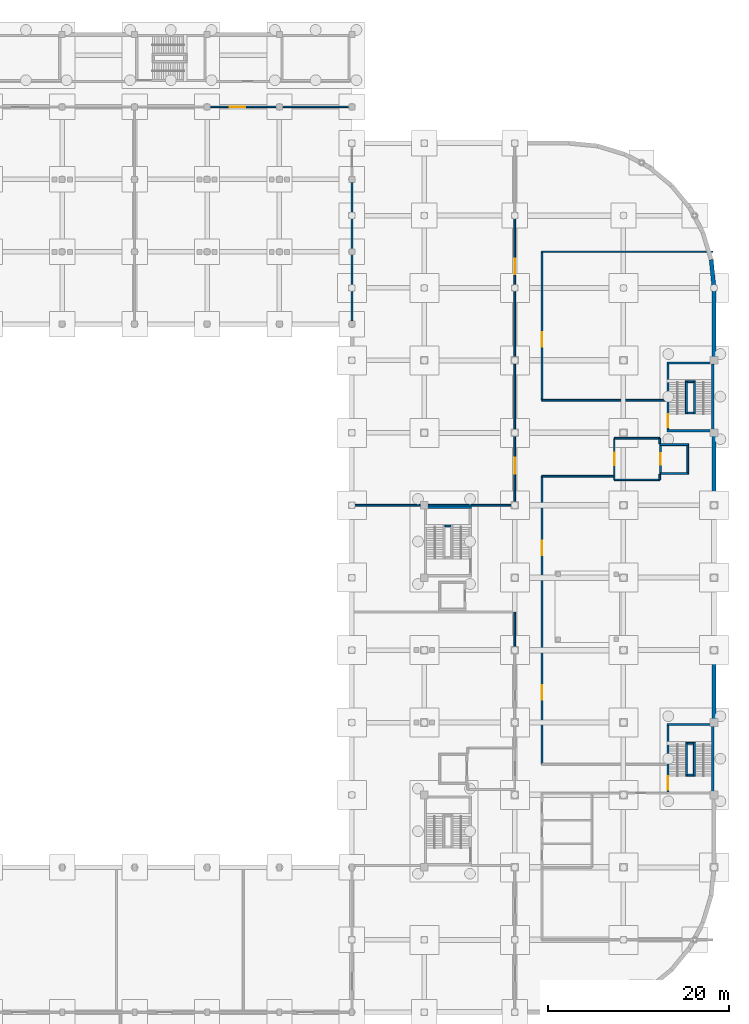
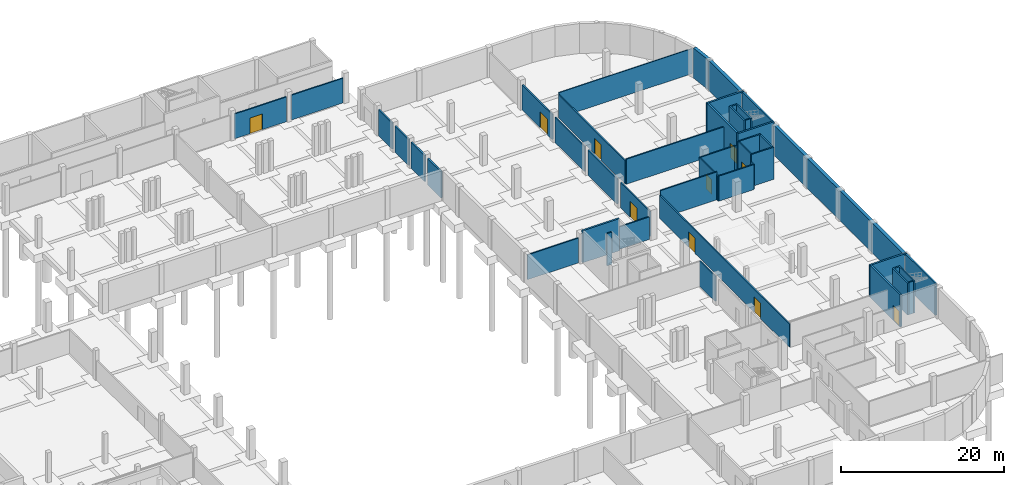
# One storey, part 26 of 29: 47 walls, 10 doors, 10 openings.
"""IFC4 building model written with IfcOpenShell, lengths in metres."""

from ifc_helpers import new_model, si_unit, direction, frame, frame_2d, origin, place, context, subcontext, project, spatial, rectangle, extrude, material, layer, layer_set, type_object, element, fill, save


model = new_model("IFC4")

# Units and contexts
model_context = context("Model", 3, precision=1e-05, world=origin(), true_north=direction((0.0, 1.0)))
body_context = subcontext(model_context, "Body", "Model", "MODEL_VIEW")
ifc_project = project(units=[si_unit("LENGTHUNIT", "METRE"), si_unit("AREAUNIT", "SQUARE_METRE"), si_unit("VOLUMEUNIT", "CUBIC_METRE"), si_unit("PLANEANGLEUNIT", "RADIAN"), si_unit("MASSUNIT", "GRAM", prefix="KILO")], contexts=[model_context])

# Site, building, storey
site_placement = place(None, origin())
site = spatial("IfcSite", under=ifc_project, at=site_placement, CompositionType="ELEMENT")
building_placement = place(site_placement, origin())
building = spatial("IfcBuilding", under=site, at=building_placement, Name="Drelvana Railside Aquatics Centre", CompositionType="ELEMENT")
storey_placement = place(building_placement, frame((0.0, 0.0, -4.800048828125)))
storey = spatial("IfcBuildingStorey", under=building, at=storey_placement, Name="B1", CompositionType="ELEMENT", Elevation=-4.800048828125)

# Walls
ifc_material_1 = material(Name="Concrete blockwork compartment wall", Category="masonry")
ifc_layer_1 = layer(ifc_material_1, 0.18505859375, Name="Concrete blockwork compartment wall")
ifc_layer_set_1 = layer_set([ifc_layer_1], Name="Concrete blockwork compartment wall")
wall_type_1 = type_object("IfcWallType", Name="WL-COMP-185", PredefinedType="STANDARD", material=ifc_layer_set_1)
for number, where, z_axis, x_axis, name in (
    (1, (178.0, 66.800048828125, 0.0), (0.0, 0.0, 1.0), (-1.0, 0.0, 0.0), "Firefighting lobby FL-02 S wall (B1)"),
    (2, (173.0, 71.39990234375, 0.0), (0.0, 0.0, 1.0), (1.0, 0.0, 0.0), "Firefighting lobby FL-02 N wall (B1)"),
):
    element("IfcWall", number, at=place(storey_placement, frame(where, z_axis=z_axis, x_axis=x_axis)), inside=storey, type_object=wall_type_1, Name=name, PredefinedType="STANDARD", context=body_context, shape_type="SweptSolid", body=[
        extrude(rectangle(XDim=5.0, YDim=0.18505859375, at=frame_2d((2.5, 0.0))), origin(), (0.0, 0.0, 1.0), 3.75),
    ])

# Wall, opening, door
wall_1_placement = place(storey_placement, frame((173.0, 66.800048828125, 0.0), z_axis=(0.0, 0.0, 1.0), x_axis=(0.0, 1.0, 0.0)))
wall_1 = element("IfcWall", 3, at=wall_1_placement, inside=storey, type_object=wall_type_1, Name="Firefighting lobby FL-02 COR wall (B1)", PredefinedType="STANDARD", context=body_context, shape_type="SweptSolid", body=[
    extrude(rectangle(XDim=4.599853515625, YDim=0.18505859375, at=frame_2d((2.2998046875, 0.0))), origin(), (0.0, 0.0, 1.0), 3.75),
])
opening_1_placement = place(wall_1_placement, frame((1.60009765625, 0.0, 0.0)))
opening_1 = element("IfcOpeningElement", 4, at=opening_1_placement, cuts=wall_1, Name="Opening D-03-060", PredefinedType="OPENING", context=body_context, shape_type="SweptSolid", body=[
    extrude(rectangle(XDim=1.39990234375, YDim=2.199951171875, at=frame_2d((0.699951171875, 1.10009765625))), frame((0.0, 0.1025390625, 0.0), z_axis=(0.0, -1.0, 0.0), x_axis=(1.0, 0.0, 0.0)), (0.0, 0.0, 1.0), 0.205078125),
])
ifc_material_2 = material(Name="Firefighting lobby door", Category="wood")
door_type_1 = type_object("IfcDoorType", Name="DR-INT-FFLOB-1400x2200", OperationType="DOUBLE_DOOR_SINGLE_SWING", PredefinedType="DOOR", material=ifc_material_2)
door_1_placement = place(opening_1_placement, origin())
door_1 = element("IfcDoor", 5, at=door_1_placement, inside=storey, type_object=door_type_1, Name="Firefighting lobby FL-02 door D-03-060", OperationType="DOUBLE_DOOR_SINGLE_SWING", OverallHeight=2.199951171875, OverallWidth=1.39990234375, PredefinedType="DOOR", context=body_context, shape_type="SweptSolid", body=[
    extrude(rectangle(XDim=1.39990234375, YDim=2.199951171875, at=frame_2d((0.699951171875, 1.10009765625))), frame((0.0, 0.02490234375, 0.0), z_axis=(0.0, -1.0, 0.0), x_axis=(1.0, 0.0, 0.0)), (0.0, 0.0, 1.0), 0.050048828125),
])
fill(opening_1, door_1)

# Walls
for number, where, z_axis, x_axis, name in (
    (6, (178.0, 66.800048828125, 0.0), (0.0, 0.0, 1.0), (0.0, 1.0, 0.0), "Firefighting lobby FL-02 SHS wall (B1)"),
    (7, (178.0, 70.800048828125, 0.0), (0.0, 0.0, 1.0), (0.0, 1.0, 0.0), "Firefighting lobby FL-02 SHN wall (B1)"),
):
    element("IfcWall", number, at=place(storey_placement, frame(where, z_axis=z_axis, x_axis=x_axis)), inside=storey, type_object=wall_type_1, Name=name, PredefinedType="STANDARD", context=body_context, shape_type="SweptSolid", body=[
        extrude(rectangle(XDim=0.599853515625, YDim=0.18505859375, at=frame_2d((0.2998046875, 0.0))), origin(), (0.0, 0.0, 1.0), 3.75),
    ])

# Wall, opening, door
wall_2_placement = place(storey_placement, frame((128.326904296875, 108.0, 0.0), z_axis=(0.0, 0.0, 1.0), x_axis=(1.0, 0.0, 0.0)))
wall_2 = element("IfcWall", 8, at=wall_2_placement, inside=storey, type_object=wall_type_1, Name="B1 North plant corridor S wall", PredefinedType="STANDARD", context=body_context, shape_type="SweptSolid", body=[
    extrude(rectangle(XDim=7.34619140625, YDim=0.18505859375, at=frame_2d((3.673095703125, 0.0))), origin(), (0.0, 0.0, 1.0), 3.699951171875),
])
opening_2_placement = place(wall_2_placement, frame((2.173095703125, 0.0, 0.0)))
opening_2 = element("IfcOpeningElement", 9, at=opening_2_placement, cuts=wall_2, Name="Opening D-15-119", PredefinedType="OPENING", context=body_context, shape_type="SweptSolid", body=[
    extrude(rectangle(XDim=1.75, YDim=2.35009765625, at=frame_2d((0.875, 1.175048828125))), frame((0.0, 0.1025390625, 0.0), z_axis=(0.0, -1.0, 0.0), x_axis=(1.0, 0.0, 0.0)), (0.0, 0.0, 1.0), 0.205078125),
])
ifc_material_3 = material(Name="Heavy plant hall double door", Category="wood")
door_type_2 = type_object("IfcDoorType", Name="DR-INT-PLANT-1750x2350", OperationType="DOUBLE_DOOR_SINGLE_SWING", PredefinedType="DOOR", material=ifc_material_3)
door_2_placement = place(opening_2_placement, origin())
door_2 = element("IfcDoor", 10, at=door_2_placement, inside=storey, type_object=door_type_2, Name="Greywater harvesting plant door D-15-119", OperationType="DOUBLE_DOOR_SINGLE_SWING", OverallHeight=2.35009765625, OverallWidth=1.75, PredefinedType="DOOR", context=body_context, shape_type="SweptSolid", body=[
    extrude(rectangle(XDim=1.75, YDim=2.35009765625, at=frame_2d((0.875, 1.175048828125))), frame((0.0, 0.02490234375, 0.0), z_axis=(0.0, -1.0, 0.0), x_axis=(1.0, 0.0, 0.0)), (0.0, 0.0, 1.0), 0.050048828125),
])
fill(opening_2, door_2)

# Walls
wall_3_placement = place(storey_placement, frame((136.326904296875, 108.0, 0.0), z_axis=(0.0, 0.0, 1.0), x_axis=(1.0, 0.0, 0.0)))
element("IfcWall", 11, at=wall_3_placement, inside=storey, type_object=wall_type_1, Name="B1 North plant corridor S wall", PredefinedType="STANDARD", context=body_context, shape_type="SweptSolid", body=[
    extrude(rectangle(XDim=7.34619140625, YDim=0.18505859375, at=frame_2d((3.673095703125, 0.0))), origin(), (0.0, 0.0, 1.0), 3.699951171875),
])
wall_4_placement = place(storey_placement, frame((162.0, 48.427001953125, 0.0), z_axis=(0.0, 0.0, 1.0), x_axis=(0.0, 1.0, 0.0)))
element("IfcWall", 12, at=wall_4_placement, inside=storey, type_object=wall_type_1, Name="V5 B1 west corridor wall", PredefinedType="STANDARD", context=body_context, shape_type="SweptSolid", body=[
    extrude(rectangle(XDim=3.77294921875, YDim=0.18505859375, at=frame_2d((1.886474609375, 0.0))), origin(), (0.0, 0.0, 1.0), 3.75),
])

# Wall, opening, door
wall_5_placement = place(storey_placement, frame((162.0, 64.427001953125, 0.0), z_axis=(0.0, 0.0, 1.0), x_axis=(0.0, 1.0, 0.0)))
wall_5 = element("IfcWall", 13, at=wall_5_placement, inside=storey, type_object=wall_type_1, Name="V5 B1 west corridor wall", PredefinedType="STANDARD", context=body_context, shape_type="SweptSolid", body=[
    extrude(rectangle(XDim=7.14599609375, YDim=0.18505859375, at=frame_2d((3.572998046875, 0.0))), origin(), (0.0, 0.0, 1.0), 3.75),
])
opening_3_placement = place(wall_5_placement, frame((3.072998046875, 0.0, 0.0)))
opening_3 = element("IfcOpeningElement", 14, at=opening_3_placement, cuts=wall_5, Name="Opening D-15-183", PredefinedType="OPENING", context=body_context, shape_type="SweptSolid", body=[
    extrude(rectangle(XDim=1.75, YDim=2.35009765625, at=frame_2d((0.875, 1.175048828125))), frame((0.0, 0.1025390625, 0.0), z_axis=(0.0, -1.0, 0.0), x_axis=(1.0, 0.0, 0.0)), (0.0, 0.0, 1.0), 0.205078125),
])
door_3_placement = place(opening_3_placement, origin())
door_3 = element("IfcDoor", 15, at=door_3_placement, inside=storey, type_object=door_type_2, Name="Clean linen laundry south door D-15-183", OperationType="DOUBLE_DOOR_SINGLE_SWING", OverallHeight=2.35009765625, OverallWidth=1.75, PredefinedType="DOOR", context=body_context, shape_type="SweptSolid", body=[
    extrude(rectangle(XDim=1.75, YDim=2.35009765625, at=frame_2d((0.875, 1.175048828125))), frame((0.0, 0.02490234375, 0.0), z_axis=(0.0, -1.0, 0.0), x_axis=(1.0, 0.0, 0.0)), (0.0, 0.0, 1.0), 0.050048828125),
])
fill(opening_3, door_3)

# Walls
wall_6_placement = place(storey_placement, frame((162.0, 72.427001953125, 0.0), z_axis=(0.0, 0.0, 1.0), x_axis=(0.0, 1.0, 0.0)))
element("IfcWall", 16, at=wall_6_placement, inside=storey, type_object=wall_type_1, Name="V5 B1 west corridor wall", PredefinedType="STANDARD", context=body_context, shape_type="SweptSolid", body=[
    extrude(rectangle(XDim=7.14599609375, YDim=0.18505859375, at=frame_2d((3.572998046875, 0.0))), origin(), (0.0, 0.0, 1.0), 3.75),
])
wall_7_placement = place(storey_placement, frame((162.0, 80.427001953125, 0.0), z_axis=(0.0, 0.0, 1.0), x_axis=(0.0, 1.0, 0.0)))
element("IfcWall", 17, at=wall_7_placement, inside=storey, type_object=wall_type_1, Name="V5 B1 west corridor wall", PredefinedType="STANDARD", context=body_context, shape_type="SweptSolid", body=[
    extrude(rectangle(XDim=7.220947265625, YDim=0.18505859375, at=frame_2d((3.6103515625, 0.0))), origin(), (0.0, 0.0, 1.0), 3.75),
])

# Wall, opening, door
wall_8_placement = place(storey_placement, frame((162.0, 88.35205078125, 0.0), z_axis=(0.0, 0.0, 1.0), x_axis=(0.0, 1.0, 0.0)))
wall_8 = element("IfcWall", 18, at=wall_8_placement, inside=storey, type_object=wall_type_1, Name="V5 B1 west corridor wall", PredefinedType="STANDARD", context=body_context, shape_type="SweptSolid", body=[
    extrude(rectangle(XDim=7.2958984375, YDim=0.18505859375, at=frame_2d((3.64794921875, 0.0))), origin(), (0.0, 0.0, 1.0), 3.75),
])
opening_4_placement = place(wall_8_placement, frame((1.14794921875, 0.0, 0.0)))
opening_4 = element("IfcOpeningElement", 19, at=opening_4_placement, cuts=wall_8, Name="Opening D-15-184", PredefinedType="OPENING", context=body_context, shape_type="SweptSolid", body=[
    extrude(rectangle(XDim=1.75, YDim=2.35009765625, at=frame_2d((0.875, 1.175048828125))), frame((0.0, 0.1025390625, 0.0), z_axis=(0.0, -1.0, 0.0), x_axis=(1.0, 0.0, 0.0)), (0.0, 0.0, 1.0), 0.205078125),
])
door_4_placement = place(opening_4_placement, origin())
door_4 = element("IfcDoor", 20, at=door_4_placement, inside=storey, type_object=door_type_2, Name="Clean linen laundry north door D-15-184", OperationType="DOUBLE_DOOR_SINGLE_SWING", OverallHeight=2.35009765625, OverallWidth=1.75, PredefinedType="DOOR", context=body_context, shape_type="SweptSolid", body=[
    extrude(rectangle(XDim=1.75, YDim=2.35009765625, at=frame_2d((0.875, 1.175048828125))), frame((0.0, 0.02490234375, 0.0), z_axis=(0.0, -1.0, 0.0), x_axis=(1.0, 0.0, 0.0)), (0.0, 0.0, 1.0), 0.050048828125),
])
fill(opening_4, door_4)

# Walls
wall_9_placement = place(storey_placement, frame((144.35205078125, 64.0, 0.0), z_axis=(0.0, 0.0, 1.0), x_axis=(1.0, 0.0, 0.0)))
element("IfcWall", 21, at=wall_9_placement, inside=storey, type_object=wall_type_1, Name="V5 B1 C8 alcove N wall", PredefinedType="STANDARD", context=body_context, shape_type="SweptSolid", body=[
    extrude(rectangle(XDim=7.220947265625, YDim=0.18505859375, at=frame_2d((3.6103515625, 0.0))), origin(), (0.0, 0.0, 1.0), 3.699951171875),
])
wall_10_placement = place(storey_placement, frame((152.427001953125, 64.0, 0.0), z_axis=(0.0, 0.0, 1.0), x_axis=(1.0, 0.0, 0.0)))
element("IfcWall", 22, at=wall_10_placement, inside=storey, type_object=wall_type_1, Name="V5 B1 C8 alcove N wall", PredefinedType="STANDARD", context=body_context, shape_type="SweptSolid", body=[
    extrude(rectangle(XDim=9.14599609375, YDim=0.18505859375, at=frame_2d((4.572998046875, 0.0))), origin(), (0.0, 0.0, 1.0), 3.35009765625),
])

# Wall, openings, doors
wall_11_placement = place(storey_placement, frame((165.0, 35.39990234375, 0.0), z_axis=(0.0, 0.0, 1.0), x_axis=(0.0, 1.0, 0.0)))
wall_11 = element("IfcWall", 23, at=wall_11_placement, inside=storey, type_object=wall_type_1, Name="V5 B1 east corridor wall", PredefinedType="STANDARD", context=body_context, shape_type="SweptSolid", body=[
    extrude(rectangle(XDim=31.800048828125, YDim=0.18505859375, at=frame_2d((15.89990234375, 0.0))), origin(), (0.0, 0.0, 1.0), 3.449951171875),
])
opening_5_placement = place(wall_11_placement, frame((7.10009765625, 0.0, 0.0)))
opening_5 = element("IfcOpeningElement", 24, at=opening_5_placement, cuts=wall_11, Name="Opening D-04-188", PredefinedType="OPENING", context=body_context, shape_type="SweptSolid", body=[
    extrude(rectangle(XDim=1.60009765625, YDim=2.300048828125, at=frame_2d((0.800048828125, 1.14990234375))), frame((0.0, 0.1025390625, 0.0), z_axis=(0.0, -1.0, 0.0), x_axis=(1.0, 0.0, 0.0)), (0.0, 0.0, 1.0), 0.205078125),
])
opening_6_placement = place(wall_11_placement, frame((23.10009765625, 0.0, 0.0)))
opening_6 = element("IfcOpeningElement", 25, at=opening_6_placement, cuts=wall_11, Name="Opening D-04-189", PredefinedType="OPENING", context=body_context, shape_type="SweptSolid", body=[
    extrude(rectangle(XDim=1.60009765625, YDim=2.300048828125, at=frame_2d((0.800048828125, 1.14990234375))), frame((0.0, 0.1025390625, 0.0), z_axis=(0.0, -1.0, 0.0), x_axis=(1.0, 0.0, 0.0)), (0.0, 0.0, 1.0), 0.205078125),
])
ifc_material_4 = material(Name="Acoustic fire-rated steel plant door", Category="steel")
door_type_3 = type_object("IfcDoorType", Name="DR-INT-PLANT-1600x2300", OperationType="DOUBLE_DOOR_SINGLE_SWING", PredefinedType="DOOR", material=ifc_material_4)
door_5_placement = place(opening_5_placement, origin())
door_5 = element("IfcDoor", 26, at=door_5_placement, inside=storey, type_object=door_type_3, Name="Bicycle storage south door D-04-188", OperationType="DOUBLE_DOOR_SINGLE_SWING", OverallHeight=2.300048828125, OverallWidth=1.60009765625, PredefinedType="DOOR", context=body_context, shape_type="SweptSolid", body=[
    extrude(rectangle(XDim=1.60009765625, YDim=2.300048828125, at=frame_2d((0.800048828125, 1.14990234375))), frame((0.0, 0.02490234375, 0.0), z_axis=(0.0, -1.0, 0.0), x_axis=(1.0, 0.0, 0.0)), (0.0, 0.0, 1.0), 0.050048828125),
])
fill(opening_5, door_5)
door_6_placement = place(opening_6_placement, origin())
door_6 = element("IfcDoor", 27, at=door_6_placement, inside=storey, type_object=door_type_3, Name="Bicycle storage north door D-04-189", OperationType="DOUBLE_DOOR_SINGLE_SWING", OverallHeight=2.300048828125, OverallWidth=1.60009765625, PredefinedType="DOOR", context=body_context, shape_type="SweptSolid", body=[
    extrude(rectangle(XDim=1.60009765625, YDim=2.300048828125, at=frame_2d((0.800048828125, 1.14990234375))), frame((0.0, 0.02490234375, 0.0), z_axis=(0.0, -1.0, 0.0), x_axis=(1.0, 0.0, 0.0)), (0.0, 0.0, 1.0), 0.050048828125),
])
fill(opening_6, door_6)

# Wall, opening, door
wall_12_placement = place(storey_placement, frame((165.0, 75.60009765625, 0.0), z_axis=(0.0, 0.0, 1.0), x_axis=(0.0, 1.0, 0.0)))
wall_12 = element("IfcWall", 28, at=wall_12_placement, inside=storey, type_object=wall_type_1, Name="V5 B1 east corridor wall", PredefinedType="STANDARD", context=body_context, shape_type="SweptSolid", body=[
    extrude(rectangle(XDim=16.39990234375, YDim=0.18505859375, at=frame_2d((8.199951171875, 0.0))), origin(), (0.0, 0.0, 1.0), 3.449951171875),
])
opening_7_placement = place(wall_12_placement, frame((5.89990234375, 0.0, 0.0)))
opening_7 = element("IfcOpeningElement", 29, at=opening_7_placement, cuts=wall_12, Name="Opening D-04-190", PredefinedType="OPENING", context=body_context, shape_type="SweptSolid", body=[
    extrude(rectangle(XDim=1.60009765625, YDim=2.300048828125, at=frame_2d((0.800048828125, 1.14990234375))), frame((0.0, 0.1025390625, 0.0), z_axis=(0.0, -1.0, 0.0), x_axis=(1.0, 0.0, 0.0)), (0.0, 0.0, 1.0), 0.205078125),
])
door_7_placement = place(opening_7_placement, origin())
door_7 = element("IfcDoor", 30, at=door_7_placement, inside=storey, type_object=door_type_3, Name="Refuse compactor room door D-04-190", OperationType="DOUBLE_DOOR_SINGLE_SWING", OverallHeight=2.300048828125, OverallWidth=1.60009765625, PredefinedType="DOOR", context=body_context, shape_type="SweptSolid", body=[
    extrude(rectangle(XDim=1.60009765625, YDim=2.300048828125, at=frame_2d((0.800048828125, 1.14990234375))), frame((0.0, 0.02490234375, 0.0), z_axis=(0.0, -1.0, 0.0), x_axis=(1.0, 0.0, 0.0)), (0.0, 0.0, 1.0), 0.050048828125),
])
fill(opening_7, door_7)

# Walls
wall_13_placement = place(storey_placement, frame((165.0, 67.199951171875, 0.0), z_axis=(0.0, 0.0, 1.0), x_axis=(1.0, 0.0, 0.0)))
element("IfcWall", 31, at=wall_13_placement, inside=storey, type_object=wall_type_1, Name="B1 C7 branch S wall", PredefinedType="STANDARD", context=body_context, shape_type="SweptSolid", body=[
    extrude(rectangle(XDim=8.0, YDim=0.18505859375, at=frame_2d((4.0, 0.0))), origin(), (0.0, 0.0, 1.0), 4.150146484375),
])
wall_14_placement = place(storey_placement, frame((165.0, 75.60009765625, 0.0), z_axis=(0.0, 0.0, 1.0), x_axis=(1.0, 0.0, 0.0)))
element("IfcWall", 32, at=wall_14_placement, inside=storey, type_object=wall_type_1, Name="B1 C7 branch N wall", PredefinedType="STANDARD", context=body_context, shape_type="SweptSolid", body=[
    extrude(rectangle(XDim=13.800048828125, YDim=0.18505859375, at=frame_2d((6.89990234375, 0.0))), origin(), (0.0, 0.0, 1.0), 3.75),
])
ifc_material_5 = material(Name="Autoclaved aerated concrete masonry", Category="masonry")
ifc_layer_2 = layer(ifc_material_5, 0.22509765625, Name="Autoclaved aerated concrete masonry")
ifc_layer_set_2 = layer_set([ifc_layer_2], Name="Autoclaved aerated concrete masonry")
wall_type_2 = type_object("IfcWallType", Name="WL-COMP-225", PredefinedType="STANDARD", material=ifc_layer_set_2)
for number, where, z_axis, x_axis, name in (
    (33, (144.0, 84.326904296875, 0.0), (0.0, 0.0, 1.0), (0.0, 1.0, 0.0), "B1 Changing-Wing compartment wall"),
    (34, (144.0, 88.35205078125, 0.0), (0.0, 0.0, 1.0), (0.0, 1.0, 0.0), "B1 Changing-Wing compartment wall"),
    (35, (144.0, 92.326904296875, 0.0), (0.0, 0.0, 1.0), (0.0, 1.0, 0.0), "B1 Changing-Wing compartment wall"),
    (36, (144.0, 96.35205078125, 0.0), (0.0, 0.0, 1.0), (0.0, 1.0, 0.0), "B1 Changing-Wing compartment wall"),
):
    element("IfcWall", number, at=place(storey_placement, frame(where, z_axis=z_axis, x_axis=x_axis)), inside=storey, type_object=wall_type_2, Name=name, PredefinedType="STANDARD", context=body_context, shape_type="SweptSolid", body=[
        extrude(rectangle(XDim=3.321044921875, YDim=0.22509765625, at=frame_2d((1.66064453125, 0.0))), origin(), (0.0, 0.0, 1.0), 3.900146484375),
    ])
ifc_material_6 = material(Name="Concrete C40/50", Category="concrete")
ifc_layer_3 = layer(ifc_material_6, 0.25, Name="Concrete C40/50")
ifc_layer_set_3 = layer_set([ifc_layer_3], Name="Concrete C40/50")
wall_type_3 = type_object("IfcWallType", Name="WL-CORE-250", PredefinedType="SHEAR", material=ifc_layer_set_3)
for number, where, z_axis, x_axis, name in (
    (37, (178.800048828125, 72.22509765625, 0.0), (0.0, 0.0, 1.0), (1.0, 0.0, 0.0), "Core 7 Federation Wing Avenue-East S core wall (B1)"),
    (38, (178.800048828125, 79.715087890625, 0.0), (0.0, 0.0, 1.0), (1.0, 0.0, 0.0), "Core 7 Federation Wing Avenue-East N core wall (B1)"),
):
    element("IfcWall", number, at=place(storey_placement, frame(where, z_axis=z_axis, x_axis=x_axis)), inside=storey, type_object=wall_type_3, Name=name, PredefinedType="SHEAR", context=body_context, shape_type="SweptSolid", body=[
        extrude(rectangle(XDim=5.199951171875, YDim=0.25, at=frame_2d((2.60009765625, 0.0))), origin(), (0.0, 0.0, 1.0), 4.800048828125),
    ])

# Wall, opening, door
wall_15_placement = place(storey_placement, frame((178.925048828125, 72.35009765625, 0.0), z_axis=(0.0, 0.0, 1.0), x_axis=(0.0, 1.0, 0.0)))
wall_15 = element("IfcWall", 39, at=wall_15_placement, inside=storey, type_object=wall_type_3, Name="Core 7 Federation Wing Avenue-East W core wall (B1)", PredefinedType="SHEAR", context=body_context, shape_type="SweptSolid", body=[
    extrude(rectangle(XDim=7.239990234375, YDim=0.25, at=frame_2d((3.6201171875, 0.0))), origin(), (0.0, 0.0, 1.0), 4.800048828125),
])
opening_8_placement = place(wall_15_placement, frame((0.25, 0.0, 0.0)))
opening_8 = element("IfcOpeningElement", 40, at=opening_8_placement, cuts=wall_15, Name="Opening D-01-053", PredefinedType="OPENING", context=body_context, shape_type="SweptSolid", body=[
    extrude(rectangle(XDim=1.449951171875, YDim=2.199951171875, at=frame_2d((0.72509765625, 1.10009765625))), frame((0.0, 0.135009765625, 0.0), z_axis=(0.0, -1.0, 0.0), x_axis=(1.0, 0.0, 0.0)), (0.0, 0.0, 1.0), 0.27001953125),
])
ifc_material_7 = material(Name="Fire-rated steel and vision-panel door", Category="steel")
door_type_4 = type_object("IfcDoorType", Name="DR-INT-STAIR-1450x2200", OperationType="DOUBLE_DOOR_SINGLE_SWING", PredefinedType="DOOR", material=ifc_material_7)
door_8_placement = place(opening_8_placement, origin())
door_8 = element("IfcDoor", 41, at=door_8_placement, inside=storey, type_object=door_type_4, Name="Stair ST-07 lobby door D-01-053", OperationType="DOUBLE_DOOR_SINGLE_SWING", OverallHeight=2.199951171875, OverallWidth=1.449951171875, PredefinedType="DOOR", context=body_context, shape_type="SweptSolid", body=[
    extrude(rectangle(XDim=1.449951171875, YDim=2.199951171875, at=frame_2d((0.72509765625, 1.10009765625))), frame((0.0, 0.02490234375, 0.0), z_axis=(0.0, -1.0, 0.0), x_axis=(1.0, 0.0, 0.0)), (0.0, 0.0, 1.0), 0.050048828125),
])
fill(opening_8, door_8)

# Walls
wall_16_placement = place(storey_placement, frame((183.875, 72.35009765625, 0.0), z_axis=(0.0, 0.0, 1.0), x_axis=(0.0, 1.0, 0.0)))
element("IfcWall", 42, at=wall_16_placement, inside=storey, type_object=wall_type_3, Name="Core 7 Federation Wing Avenue-East E core wall (B1)", PredefinedType="SHEAR", context=body_context, shape_type="SweptSolid", body=[
    extrude(rectangle(XDim=7.239990234375, YDim=0.25, at=frame_2d((3.6201171875, 0.0))), origin(), (0.0, 0.0, 1.0), 4.800048828125),
])
for number, where, z_axis, x_axis, name in (
    (43, (152.0, 63.77490234375, 0.0), (0.0, 0.0, 1.0), (1.0, 0.0, 0.0), "Core 8 Federation Wing Central-West N core wall (B1)"),
    (44, (178.800048828125, 39.77490234375, 0.0), (0.0, 0.0, 1.0), (1.0, 0.0, 0.0), "Core 9 Federation Wing Avenue-South N core wall (B1)"),
):
    element("IfcWall", number, at=place(storey_placement, frame(where, z_axis=z_axis, x_axis=x_axis)), inside=storey, type_object=wall_type_3, Name=name, PredefinedType="SHEAR", context=body_context, shape_type="SweptSolid", body=[
        extrude(rectangle(XDim=5.199951171875, YDim=0.25, at=frame_2d((2.60009765625, 0.0))), origin(), (0.0, 0.0, 1.0), 4.800048828125),
    ])

# Wall, opening, door
wall_17_placement = place(storey_placement, frame((178.925048828125, 32.35009765625, 0.0), z_axis=(0.0, 0.0, 1.0), x_axis=(0.0, 1.0, 0.0)))
wall_17 = element("IfcWall", 45, at=wall_17_placement, inside=storey, type_object=wall_type_3, Name="Core 9 Federation Wing Avenue-South W core wall (B1)", PredefinedType="SHEAR", context=body_context, shape_type="SweptSolid", body=[
    extrude(rectangle(XDim=7.2998046875, YDim=0.25, at=frame_2d((3.64990234375, 0.0))), origin(), (0.0, 0.0, 1.0), 4.800048828125),
])
opening_9_placement = place(wall_17_placement, frame((0.25, 0.0, 0.0)))
opening_9 = element("IfcOpeningElement", 46, at=opening_9_placement, cuts=wall_17, Name="Opening D-01-083", PredefinedType="OPENING", context=body_context, shape_type="SweptSolid", body=[
    extrude(rectangle(XDim=1.449951171875, YDim=2.199951171875, at=frame_2d((0.72509765625, 1.10009765625))), frame((0.0, 0.135009765625, 0.0), z_axis=(0.0, -1.0, 0.0), x_axis=(1.0, 0.0, 0.0)), (0.0, 0.0, 1.0), 0.27001953125),
])
door_9_placement = place(opening_9_placement, origin())
door_9 = element("IfcDoor", 47, at=door_9_placement, inside=storey, type_object=door_type_4, Name="Stair ST-09 lobby door D-01-083", OperationType="DOUBLE_DOOR_SINGLE_SWING", OverallHeight=2.199951171875, OverallWidth=1.449951171875, PredefinedType="DOOR", context=body_context, shape_type="SweptSolid", body=[
    extrude(rectangle(XDim=1.449951171875, YDim=2.199951171875, at=frame_2d((0.72509765625, 1.10009765625))), frame((0.0, 0.02490234375, 0.0), z_axis=(0.0, -1.0, 0.0), x_axis=(1.0, 0.0, 0.0)), (0.0, 0.0, 1.0), 0.050048828125),
])
fill(opening_9, door_9)

# Walls
wall_18_placement = place(storey_placement, frame((183.875, 32.35009765625, 0.0), z_axis=(0.0, 0.0, 1.0), x_axis=(0.0, 1.0, 0.0)))
element("IfcWall", 48, at=wall_18_placement, inside=storey, type_object=wall_type_3, Name="Core 9 Federation Wing Avenue-South E core wall (B1)", PredefinedType="SHEAR", context=body_context, shape_type="SweptSolid", body=[
    extrude(rectangle(XDim=7.2998046875, YDim=0.25, at=frame_2d((3.64990234375, 0.0))), origin(), (0.0, 0.0, 1.0), 4.800048828125),
])
ifc_material_8 = material(Name="Acoustic twin-stud gypsum partition", Category="gypsum")
ifc_layer_4 = layer(ifc_material_8, 0.1201171875, Name="Acoustic twin-stud gypsum partition")
ifc_layer_set_4 = layer_set([ifc_layer_4], Name="Acoustic twin-stud gypsum partition")
wall_type_4 = type_object("IfcWallType", Name="WL-DRY-120", PredefinedType="PARTITIONING", material=ifc_layer_set_4)
wall_19_placement = place(storey_placement, frame((165.0, 92.0, 0.0), z_axis=(0.0, 0.0, 1.0), x_axis=(1.0, 0.0, 0.0)))
element("IfcWall", 49, at=wall_19_placement, inside=storey, type_object=wall_type_4, Name="B1 East room divider", PredefinedType="PARTITIONING", context=body_context, shape_type="SweptSolid", body=[
    extrude(rectangle(XDim=18.840087890625, YDim=0.1201171875, at=frame_2d((9.419921875, 0.0))), origin(), (0.0, 0.0, 1.0), 3.75),
])
ifc_material_9 = material(Name="Waterproof concrete C40/50", Category="concrete")
ifc_layer_5 = layer(ifc_material_9, 0.449951171875, Name="Waterproof concrete C40/50")
ifc_layer_set_5 = layer_set([ifc_layer_5], Name="Waterproof concrete C40/50")
wall_type_5 = type_object("IfcWallType", Name="WL-RET-450", PredefinedType="SOLIDWALL", material=ifc_layer_set_5)
wall_20_placement = place(storey_placement, frame((184.0, 39.902099609375, 0.0), z_axis=(0.0, 0.0, 1.0), x_axis=(0.0, 1.0, 0.0)))
element("IfcWall", 50, at=wall_20_placement, inside=storey, type_object=wall_type_5, Name="Basement retaining wall V5-E-2", PredefinedType="SOLIDWALL", context=body_context, shape_type="SweptSolid", body=[
    extrude(rectangle(XDim=32.19580078125, YDim=0.449951171875, at=frame_2d((16.097900390625, 0.0))), origin(), (0.0, 0.0, 1.0), 4.469970703125),
])
wall_21_placement = place(storey_placement, frame((184.0, 79.842041015625, 0.0), z_axis=(0.0, 0.0, 1.0), x_axis=(0.0, 1.0, 0.0)))
element("IfcWall", 51, at=wall_21_placement, inside=storey, type_object=wall_type_5, Name="Basement retaining wall V5-E-3", PredefinedType="SOLIDWALL", context=body_context, shape_type="SweptSolid", body=[
    extrude(rectangle(XDim=8.157958984375, YDim=0.449951171875, at=frame_2d((4.0791015625, 0.0))), origin(), (0.0, 0.0, 1.0), 4.469970703125),
])
wall_22_placement = place(storey_placement, frame((184.0, 88.0, 0.0), z_axis=(0.0, 0.0, 1.0), x_axis=(-0.098000751113, 0.995186340733, 0.0)))
element("IfcWall", 52, at=wall_22_placement, inside=storey, type_object=wall_type_5, Name="Basement curved retaining wall V5-NE-1", PredefinedType="SOLIDWALL", context=body_context, shape_type="SweptSolid", body=[
    extrude(rectangle(XDim=3.136474609375, YDim=0.449951171875, at=frame_2d((1.568359375, 0.0))), origin(), (0.0, 0.0, 1.0), 4.469970703125),
])
ifc_layer_6 = layer(ifc_material_6, 0.199951171875, Name="Concrete C40/50")
ifc_layer_set_6 = layer_set([ifc_layer_6], Name="Concrete C40/50")
wall_type_6 = type_object("IfcWallType", Name="WL-SHFT-200", PredefinedType="SHEAR", material=ifc_layer_set_6)
for number, where, z_axis, x_axis, name in (
    (53, (180.949951171875, 74.090087890625, 0.0), (0.0, 0.0, 1.0), (0.0, 1.0, 0.0), "Stair ST-07 central spine wall A (B1)"),
    (54, (181.85009765625, 74.090087890625, 0.0), (0.0, 0.0, 1.0), (0.0, 1.0, 0.0), "Stair ST-07 central spine wall B (B1)"),
):
    element("IfcWall", number, at=place(storey_placement, frame(where, z_axis=z_axis, x_axis=x_axis)), inside=storey, type_object=wall_type_6, Name=name, PredefinedType="SHEAR", context=body_context, shape_type="SweptSolid", body=[
        extrude(rectangle(XDim=3.659912109375, YDim=0.199951171875, at=frame_2d((1.830078125, 0.0))), origin(), (0.0, 0.0, 1.0), 4.800048828125),
    ])
for number, where, z_axis, x_axis, name in (
    (55, (181.050048828125, 74.18994140625, 0.0), (0.0, 0.0, 1.0), (1.0, 0.0, 0.0), "Stair ST-07 central spine wall S (B1)"),
    (56, (181.050048828125, 77.64990234375, 0.0), (0.0, 0.0, 1.0), (1.0, 0.0, 0.0), "Stair ST-07 central spine wall N (B1)"),
):
    element("IfcWall", number, at=place(storey_placement, frame(where, z_axis=z_axis, x_axis=x_axis)), inside=storey, type_object=wall_type_6, Name=name, PredefinedType="SHEAR", context=body_context, shape_type="SweptSolid", body=[
        extrude(rectangle(XDim=0.699951171875, YDim=0.199951171875, at=frame_2d((0.35009765625, 0.0))), origin(), (0.0, 0.0, 1.0), 4.800048828125),
    ])
for number, where, z_axis, x_axis, name in (
    (57, (178.0, 67.5, 0.0), (0.0, 0.0, 1.0), (1.0, 0.0, 0.0), "Lift FL-02 S shaft wall (B1)"),
    (58, (178.0, 70.699951171875, 0.0), (0.0, 0.0, 1.0), (1.0, 0.0, 0.0), "Lift FL-02 N shaft wall (B1)"),
):
    element("IfcWall", number, at=place(storey_placement, frame(where, z_axis=z_axis, x_axis=x_axis)), inside=storey, type_object=wall_type_6, Name=name, PredefinedType="SHEAR", context=body_context, shape_type="SweptSolid", body=[
        extrude(rectangle(XDim=3.199951171875, YDim=0.199951171875, at=frame_2d((1.60009765625, 0.0))), origin(), (0.0, 0.0, 1.0), 4.800048828125),
    ])

# Wall, opening, door
wall_23_placement = place(storey_placement, frame((178.10009765625, 67.60009765625, 0.0), z_axis=(0.0, 0.0, 1.0), x_axis=(0.0, 1.0, 0.0)))
wall_23 = element("IfcWall", 59, at=wall_23_placement, inside=storey, type_object=wall_type_6, Name="Lift FL-02 W shaft wall (B1)", PredefinedType="SHEAR", context=body_context, shape_type="SweptSolid", body=[
    extrude(rectangle(XDim=3.0, YDim=0.199951171875, at=frame_2d((1.5, 0.0))), origin(), (0.0, 0.0, 1.0), 4.800048828125),
])
opening_10_placement = place(wall_23_placement, frame((0.85009765625, 0.0, 0.0)))
opening_10 = element("IfcOpeningElement", 60, at=opening_10_placement, cuts=wall_23, Name="Opening LD-02-059", PredefinedType="OPENING", context=body_context, shape_type="SweptSolid", body=[
    extrude(rectangle(XDim=1.300048828125, YDim=2.300048828125, at=frame_2d((0.64990234375, 1.14990234375))), frame((0.0, 0.10986328125, 0.0), z_axis=(0.0, -1.0, 0.0), x_axis=(1.0, 0.0, 0.0)), (0.0, 0.0, 1.0), 0.219970703125),
])
ifc_material_10 = material(Name="Firefighting & goods lift sliding door", Category="wood")
door_type_5 = type_object("IfcDoorType", Name="DR-LIFT-LD-1300x2300", OperationType="SLIDING_TO_RIGHT", PredefinedType="DOOR", material=ifc_material_10)
door_10_placement = place(opening_10_placement, origin())
door_10 = element("IfcDoor", 61, at=door_10_placement, inside=storey, type_object=door_type_5, Name="Lift FL-02 landing door LD-02-059", OperationType="SLIDING_TO_RIGHT", OverallHeight=2.300048828125, OverallWidth=1.300048828125, PredefinedType="DOOR", context=body_context, shape_type="SweptSolid", body=[
    extrude(rectangle(XDim=1.300048828125, YDim=2.300048828125, at=frame_2d((0.64990234375, 1.14990234375))), frame((0.0, 0.02490234375, 0.0), z_axis=(0.0, -1.0, 0.0), x_axis=(1.0, 0.0, 0.0)), (0.0, 0.0, 1.0), 0.050048828125),
])
fill(opening_10, door_10)

# Walls
wall_24_placement = place(storey_placement, frame((181.10009765625, 67.60009765625, 0.0), z_axis=(0.0, 0.0, 1.0), x_axis=(0.0, 1.0, 0.0)))
element("IfcWall", 62, at=wall_24_placement, inside=storey, type_object=wall_type_6, Name="Lift FL-02 E shaft wall (B1)", PredefinedType="SHEAR", context=body_context, shape_type="SweptSolid", body=[
    extrude(rectangle(XDim=3.0, YDim=0.199951171875, at=frame_2d((1.5, 0.0))), origin(), (0.0, 0.0, 1.0), 4.800048828125),
])
wall_25_placement = place(storey_placement, frame((154.27001953125, 61.7099609375, 0.0), z_axis=(0.0, 0.0, 1.0), x_axis=(1.0, 0.0, 0.0)))
element("IfcWall", 63, at=wall_25_placement, inside=storey, type_object=wall_type_6, Name="Stair ST-08 central spine wall N (B1)", PredefinedType="SHEAR", context=body_context, shape_type="SweptSolid", body=[
    extrude(rectangle(XDim=0.659912109375, YDim=0.199951171875, at=frame_2d((0.330078125, 0.0))), origin(), (0.0, 0.0, 1.0), 4.800048828125),
])
for number, where, z_axis, x_axis, name in (
    (64, (180.969970703125, 34.090087890625, 0.0), (0.0, 0.0, 1.0), (0.0, 1.0, 0.0), "Stair ST-09 central spine wall A (B1)"),
    (65, (181.830078125, 34.090087890625, 0.0), (0.0, 0.0, 1.0), (0.0, 1.0, 0.0), "Stair ST-09 central spine wall B (B1)"),
):
    element("IfcWall", number, at=place(storey_placement, frame(where, z_axis=z_axis, x_axis=x_axis)), inside=storey, type_object=wall_type_6, Name=name, PredefinedType="SHEAR", context=body_context, shape_type="SweptSolid", body=[
        extrude(rectangle(XDim=3.719970703125, YDim=0.199951171875, at=frame_2d((1.85986328125, 0.0))), origin(), (0.0, 0.0, 1.0), 4.800048828125),
    ])
for number, where, z_axis, x_axis, name in (
    (66, (181.070068359375, 34.18994140625, 0.0), (0.0, 0.0, 1.0), (1.0, 0.0, 0.0), "Stair ST-09 central spine wall S (B1)"),
    (67, (181.070068359375, 37.7099609375, 0.0), (0.0, 0.0, 1.0), (1.0, 0.0, 0.0), "Stair ST-09 central spine wall N (B1)"),
):
    element("IfcWall", number, at=place(storey_placement, frame(where, z_axis=z_axis, x_axis=x_axis)), inside=storey, type_object=wall_type_6, Name=name, PredefinedType="SHEAR", context=body_context, shape_type="SweptSolid", body=[
        extrude(rectangle(XDim=0.659912109375, YDim=0.199951171875, at=frame_2d((0.330078125, 0.0))), origin(), (0.0, 0.0, 1.0), 4.800048828125),
    ])

save(model, "model.ifc")
